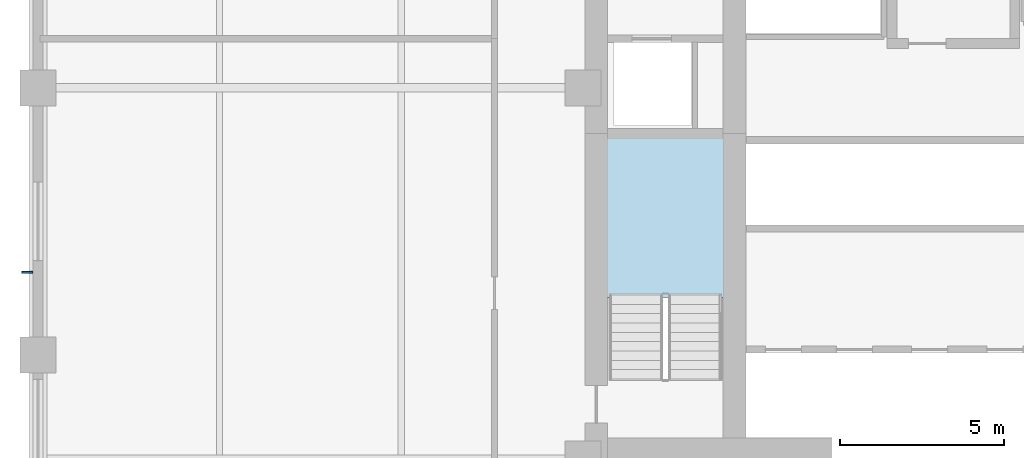
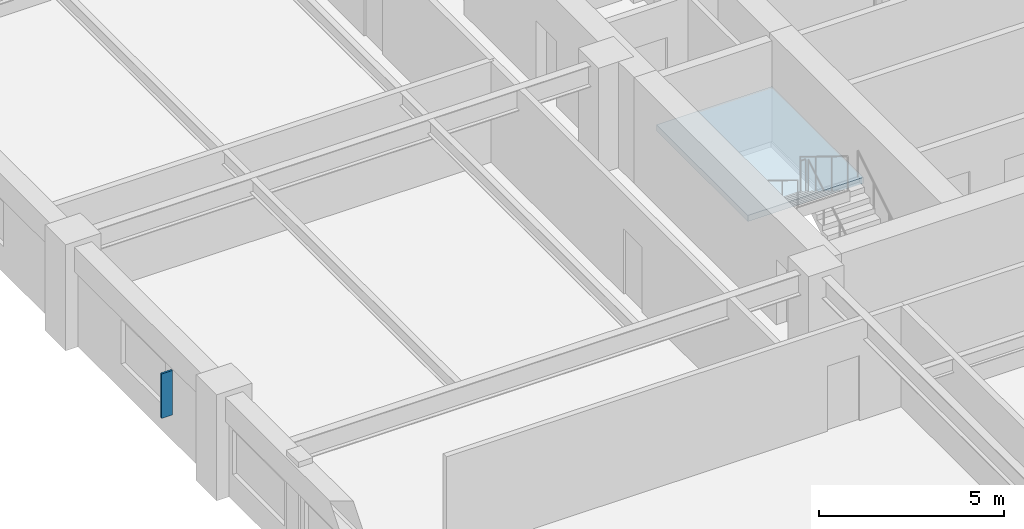
# One storey, part 4 of 11: 1 plate, 1 slab, 1 element without a shape of its own.
"""IFC4 building model written with IfcOpenShell, lengths in metres."""

from ifc_helpers import new_model, si_unit, direction, frame, origin, origin_2d, place, context, subcontext, project, spatial, polyline, rectangle, outline, extrude, material, layer, layer_set, type_object, element, aggregate, save


model = new_model("IFC4")

# Units and contexts
model_context = context("Model", 3, precision=1e-05, world=origin(), true_north=direction((0.0, 1.0)))
body_context = subcontext(model_context, "Body", "Model", "MODEL_VIEW")
ifc_project = project(units=[si_unit("LENGTHUNIT", "METRE"), si_unit("AREAUNIT", "SQUARE_METRE"), si_unit("VOLUMEUNIT", "CUBIC_METRE"), si_unit("PLANEANGLEUNIT", "RADIAN"), si_unit("MASSUNIT", "GRAM", prefix="KILO")], contexts=[model_context])

# Site, building, storey
site_placement = place(None, origin())
site = spatial("IfcSite", under=ifc_project, at=site_placement, CompositionType="ELEMENT")
building_placement = place(site_placement, origin())
building = spatial("IfcBuilding", under=site, at=building_placement, Name="Nhamokura Convention Tower", CompositionType="ELEMENT")
storey_placement = place(building_placement, frame((0.0, 0.0, 70.35009765625)))
storey = spatial("IfcBuildingStorey", under=building, at=storey_placement, Name="L16", CompositionType="ELEMENT", Elevation=70.35009765625)

# Plate
ifc_material_1 = material(Name="Anodised bronze aluminium AA6063-T6", Category="aluminium")
plate_type = type_object("IfcPlateType", Name="BronzeSolarFin_1", PredefinedType="USERDEFINED", material=ifc_material_1)
plate_placement = place(storey_placement, frame((3.669921875, 26.36669921875, 0.85009765625), z_axis=(0.0, 0.0, 1.0), x_axis=(1.0, 0.0, 0.0)))
element("IfcPlate", 1, at=plate_placement, inside=storey, type_object=plate_type, Name="L16 Bronze Solar Shading Fin WEST 2", ObjectType="SOLAR_FIN", PredefinedType="USERDEFINED", context=body_context, shape_type="SweptSolid", body=[
    extrude(rectangle(XDim=0.340087890625, YDim=0.06005859375, at=origin_2d()), origin(), (0.0, 0.0, 1.0), 1.469970703125),
])

# Stair, slab
ifc_material_2 = material(Name="Concrete C40/50", Category="concrete")
stair_type = type_object("IfcStairType", Name="TowerCoreStair_1650", PredefinedType="HALF_TURN_STAIR", material=ifc_material_2)
stair_placement = place(storey_placement, origin())
stair = element("IfcStair", 2, at=stair_placement, inside=storey, type_object=stair_type, Name="L16 West Core Smokeproof Stair ST-01", PredefinedType="HALF_TURN_STAIR")
ifc_material_3 = material(Name="Concrete C40/50", Category="concrete")
ifc_layer = layer(ifc_material_3, 0.199951171875)
ifc_layer_set = layer_set([ifc_layer], Name="StairLandingSlab_200")
slab_type = type_object("IfcSlabType", Name="StairLandingSlab_200", PredefinedType="LANDING", material=ifc_layer_set)
slab_placement = place(storey_placement, frame((0.0, 0.0, 1.5498046875)))
slab = element("IfcSlab", 3, at=slab_placement, type_object=slab_type, Name="ST-01 landing 1", PredefinedType="LANDING", context=body_context, shape_type="SweptSolid", body=[
    extrude(outline(polyline([(24.97998046875, 25.5849609375), (24.97998046875, 30.530029296875), (21.3701171875, 30.530029296875), (21.3701171875, 25.5849609375), (24.97998046875, 25.5849609375)])), origin(), (0.0, 0.0, 1.0), 0.2001953125),
])
aggregate(stair, [slab])

save(model, "model.ifc")
